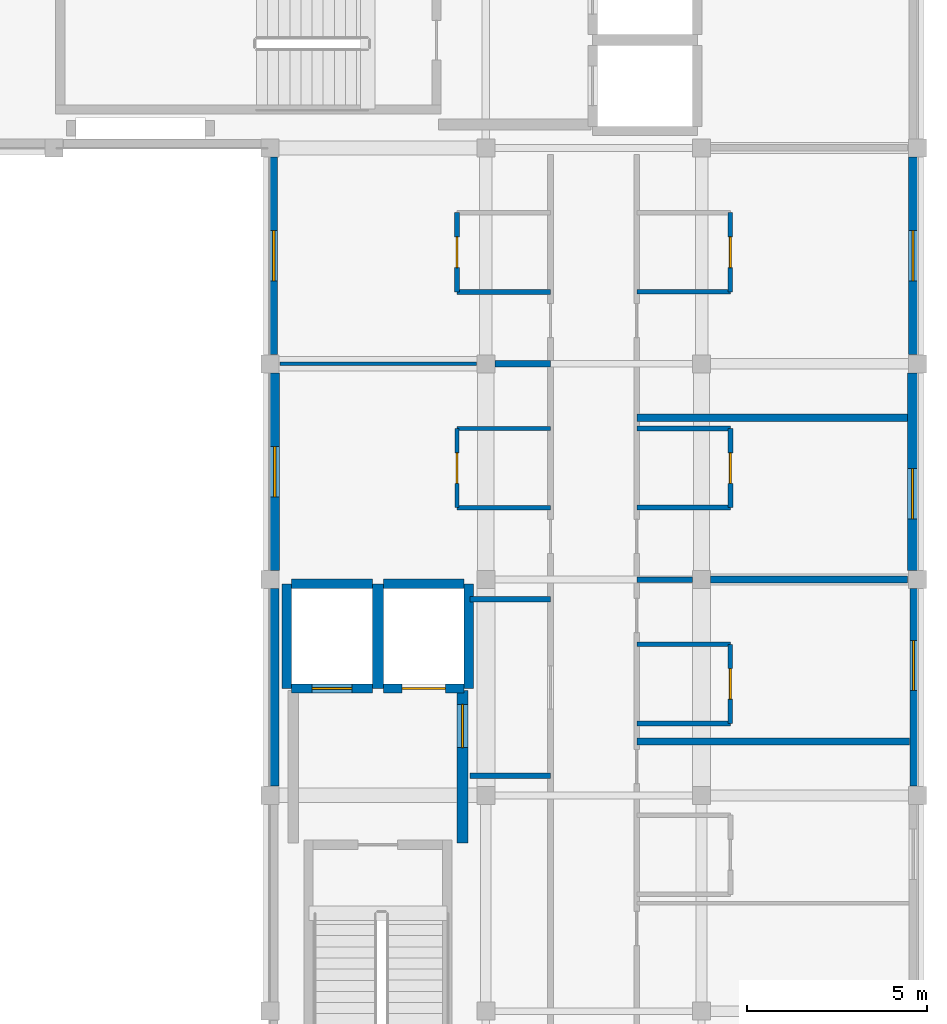
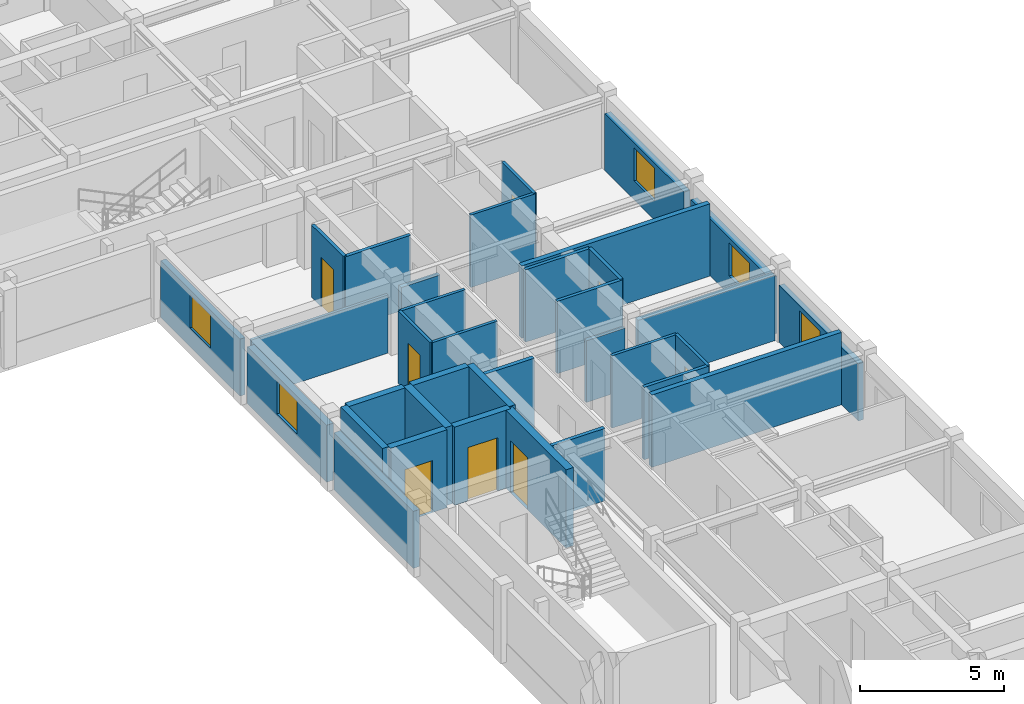
# One storey, part 6 of 15: 35 walls, 8 doors, 5 windows, 13 openings.
"""IFC4 building model written with IfcOpenShell, lengths in metres."""

from ifc_helpers import new_model, si_unit, direction, frame, frame_2d, origin, place, context, subcontext, project, spatial, rectangle, extrude, material, layer, layer_set, type_object, element, fill, save


model = new_model("IFC4")

# Units and contexts
model_context = context("Model", 3, precision=1e-05, world=origin(), true_north=direction((0.0, 1.0)))
body_context = subcontext(model_context, "Body", "Model", "MODEL_VIEW")
ifc_project = project(units=[si_unit("LENGTHUNIT", "METRE"), si_unit("AREAUNIT", "SQUARE_METRE"), si_unit("VOLUMEUNIT", "CUBIC_METRE"), si_unit("PLANEANGLEUNIT", "RADIAN"), si_unit("MASSUNIT", "GRAM", prefix="KILO"), si_unit("THERMODYNAMICTEMPERATUREUNIT", "KELVIN"), si_unit("POWERUNIT", "WATT")], contexts=[model_context])

# Site, building, storey
site_placement = place(None, origin())
site = spatial("IfcSite", under=ifc_project, at=site_placement, CompositionType="ELEMENT")
building_placement = place(site_placement, origin())
building = spatial("IfcBuilding", under=site, at=building_placement, Name="Phaisarnlok Congress Hotel", CompositionType="ELEMENT")
storey_placement = place(building_placement, frame((0.0, 0.0, 38.10009765625)))
storey = spatial("IfcBuildingStorey", under=building, at=storey_placement, Name="L09", CompositionType="ELEMENT", Elevation=38.10009765625)

# Wall, opening, window
ifc_material_1 = material(Name="Concrete C40/50", Category="concrete")
ifc_layer_1 = layer(ifc_material_1, 0.2099609375, Name="Concrete C40/50")
ifc_layer_set_1 = layer_set([ifc_layer_1], Name="Concrete C40/50")
wall_type_1 = type_object("IfcWallType", Name="WL-EXT-210", PredefinedType="SOLIDWALL", material=ifc_layer_set_1)
wall_1_placement = place(storey_placement, frame((179.89501953125, 90.2548828125, 0.0), z_axis=(0.0, 0.0, 1.0), x_axis=(0.0, 1.0, 0.0)))
wall_1 = element("IfcWall", 1, at=wall_1_placement, inside=storey, type_object=wall_type_1, Name="Exterior wall EW-07 (L09)", PredefinedType="SOLIDWALL", context=body_context, shape_type="SweptSolid", body=[
    extrude(rectangle(XDim=5.490234375, YDim=0.2099609375, at=frame_2d((2.7451171875, 0.0))), origin(), (0.0, 0.0, 1.0), 2.409912109375),
])
opening_1_placement = place(wall_1_placement, frame((2.657958984375, 0.0, 0.800048828125)))
opening_1 = element("IfcOpeningElement", 2, at=opening_1_placement, cuts=wall_1, Name="Opening W-13", PredefinedType="OPENING", context=body_context, shape_type="SweptSolid", body=[
    extrude(rectangle(XDim=1.39990234375, YDim=1.39990234375, at=frame_2d((0.699951171875, 0.699951171875))), frame((0.0, 0.114990234375, 0.0), z_axis=(0.0, -1.0, 0.0), x_axis=(1.0, 0.0, 0.0)), (0.0, 0.0, 1.0), 0.22998046875),
])
ifc_material_2 = material(Name="Thermally Broken Aluminium & Low-E Double Glazing", Category="aluminium")
window_type = type_object("IfcWindowType", Name="WIN-POD-1400", PartitioningType="SINGLE_PANEL", PredefinedType="WINDOW", material=ifc_material_2)
window_1_placement = place(opening_1_placement, origin())
window_1 = element("IfcWindow", 3, at=window_1_placement, inside=storey, type_object=window_type, Name="Guestroom window W-13 (L09)", OverallHeight=1.39990234375, OverallWidth=1.39990234375, PartitioningType="SINGLE_PANEL", PredefinedType="WINDOW", context=body_context, shape_type="SweptSolid", body=[
    extrude(rectangle(XDim=1.39990234375, YDim=1.39990234375, at=frame_2d((0.699951171875, 0.699951171875))), frame((0.0, 0.030029296875, 0.0), z_axis=(0.0, -1.0, 0.0), x_axis=(1.0, 0.0, 0.0)), (0.0, 0.0, 1.0), 0.06005859375),
])
fill(opening_1, window_1)

wall_2_placement = place(storey_placement, frame((162.10498046875, 107.7451171875, 0.0), z_axis=(0.0, 0.0, 1.0), x_axis=(0.0, -1.0, 0.0)))
wall_2 = element("IfcWall", 4, at=wall_2_placement, inside=storey, type_object=wall_type_1, Name="Exterior wall EW-07 (L09)", PredefinedType="SOLIDWALL", context=body_context, shape_type="SweptSolid", body=[
    extrude(rectangle(XDim=5.490234375, YDim=0.2099609375, at=frame_2d((2.7451171875, 0.0))), origin(), (0.0, 0.0, 1.0), 2.409912109375),
])
opening_2_placement = place(wall_2_placement, frame((2.044921875, 0.0, 0.800048828125)))
opening_2 = element("IfcOpeningElement", 5, at=opening_2_placement, cuts=wall_2, Name="Opening W-13", PredefinedType="OPENING", context=body_context, shape_type="SweptSolid", body=[
    extrude(rectangle(XDim=1.39990234375, YDim=1.39990234375, at=frame_2d((0.699951171875, 0.699951171875))), frame((0.0, 0.114990234375, 0.0), z_axis=(0.0, -1.0, 0.0), x_axis=(1.0, 0.0, 0.0)), (0.0, 0.0, 1.0), 0.22998046875),
])
window_2_placement = place(opening_2_placement, origin())
window_2 = element("IfcWindow", 6, at=window_2_placement, inside=storey, type_object=window_type, Name="Guestroom window W-13 (L09)", OverallHeight=1.39990234375, OverallWidth=1.39990234375, PartitioningType="SINGLE_PANEL", PredefinedType="WINDOW", context=body_context, shape_type="SweptSolid", body=[
    extrude(rectangle(XDim=1.39990234375, YDim=1.39990234375, at=frame_2d((0.699951171875, 0.699951171875))), frame((0.0, 0.030029296875, 0.0), z_axis=(0.0, -1.0, 0.0), x_axis=(1.0, 0.0, 0.0)), (0.0, 0.0, 1.0), 0.06005859375),
])
fill(opening_2, window_2)

ifc_layer_2 = layer(ifc_material_1, 0.25, Name="Concrete C40/50")
ifc_layer_set_2 = layer_set([ifc_layer_2], Name="Concrete C40/50")
wall_type_2 = type_object("IfcWallType", Name="WL-EXT-250", PredefinedType="SOLIDWALL", material=ifc_layer_set_2)
wall_3_placement = place(storey_placement, frame((179.875, 102.2548828125, 0.0), z_axis=(0.0, 0.0, 1.0), x_axis=(0.0, 1.0, 0.0)))
wall_3 = element("IfcWall", 7, at=wall_3_placement, inside=storey, type_object=wall_type_2, Name="Exterior wall EW-05 (L09)", PredefinedType="SOLIDWALL", context=body_context, shape_type="SweptSolid", body=[
    extrude(rectangle(XDim=5.490234375, YDim=0.25, at=frame_2d((2.7451171875, 0.0))), origin(), (0.0, 0.0, 1.0), 2.409912109375),
])
opening_3_placement = place(wall_3_placement, frame((2.044921875, 0.0, 0.800048828125)))
opening_3 = element("IfcOpeningElement", 8, at=opening_3_placement, cuts=wall_3, Name="Opening W-13", PredefinedType="OPENING", context=body_context, shape_type="SweptSolid", body=[
    extrude(rectangle(XDim=1.39990234375, YDim=1.39990234375, at=frame_2d((0.699951171875, 0.699951171875))), frame((0.0, 0.135009765625, 0.0), z_axis=(0.0, -1.0, 0.0), x_axis=(1.0, 0.0, 0.0)), (0.0, 0.0, 1.0), 0.27001953125),
])
window_3_placement = place(opening_3_placement, origin())
window_3 = element("IfcWindow", 9, at=window_3_placement, inside=storey, type_object=window_type, Name="Guestroom window W-13 (L09)", OverallHeight=1.39990234375, OverallWidth=1.39990234375, PartitioningType="SINGLE_PANEL", PredefinedType="WINDOW", context=body_context, shape_type="SweptSolid", body=[
    extrude(rectangle(XDim=1.39990234375, YDim=1.39990234375, at=frame_2d((0.699951171875, 0.699951171875))), frame((0.0, 0.030029296875, 0.0), z_axis=(0.0, -1.0, 0.0), x_axis=(1.0, 0.0, 0.0)), (0.0, 0.0, 1.0), 0.06005859375),
])
fill(opening_3, window_3)

# Wall
wall_4_placement = place(storey_placement, frame((162.125, 95.7451171875, 0.0), z_axis=(0.0, 0.0, 1.0), x_axis=(0.0, -1.0, 0.0)))
element("IfcWall", 10, at=wall_4_placement, inside=storey, type_object=wall_type_2, Name="Exterior wall EW-05 (L09)", PredefinedType="SOLIDWALL", context=body_context, shape_type="SweptSolid", body=[
    extrude(rectangle(XDim=5.490234375, YDim=0.25, at=frame_2d((2.7451171875, 0.0))), origin(), (0.0, 0.0, 1.0), 2.409912109375),
])

# Wall, opening, window
ifc_layer_3 = layer(ifc_material_1, 0.27001953125, Name="Concrete C40/50")
ifc_layer_set_3 = layer_set([ifc_layer_3], Name="Concrete C40/50")
wall_type_3 = type_object("IfcWallType", Name="WL-EXT-270", PredefinedType="SOLIDWALL", material=ifc_layer_set_3)
wall_5_placement = place(storey_placement, frame((179.864990234375, 96.2548828125, 0.0), z_axis=(0.0, 0.0, 1.0), x_axis=(0.0, 1.0, 0.0)))
wall_5 = element("IfcWall", 11, at=wall_5_placement, inside=storey, type_object=wall_type_3, Name="Exterior wall EW-04 (L09)", PredefinedType="SOLIDWALL", context=body_context, shape_type="SweptSolid", body=[
    extrude(rectangle(XDim=5.490234375, YDim=0.27001953125, at=frame_2d((2.7451171875, 0.0))), origin(), (0.0, 0.0, 1.0), 2.409912109375),
])
opening_4_placement = place(wall_5_placement, frame((1.431884765625, 0.0, 0.800048828125)))
opening_4 = element("IfcOpeningElement", 12, at=opening_4_placement, cuts=wall_5, Name="Opening W-13", PredefinedType="OPENING", context=body_context, shape_type="SweptSolid", body=[
    extrude(rectangle(XDim=1.39990234375, YDim=1.39990234375, at=frame_2d((0.699951171875, 0.699951171875))), frame((0.0, 0.14501953125, 0.0), z_axis=(0.0, -1.0, 0.0), x_axis=(1.0, 0.0, 0.0)), (0.0, 0.0, 1.0), 0.2900390625),
])
window_4_placement = place(opening_4_placement, origin())
window_4 = element("IfcWindow", 13, at=window_4_placement, inside=storey, type_object=window_type, Name="Guestroom window W-13 (L09)", OverallHeight=1.39990234375, OverallWidth=1.39990234375, PartitioningType="SINGLE_PANEL", PredefinedType="WINDOW", context=body_context, shape_type="SweptSolid", body=[
    extrude(rectangle(XDim=1.39990234375, YDim=1.39990234375, at=frame_2d((0.699951171875, 0.699951171875))), frame((0.0, 0.030029296875, 0.0), z_axis=(0.0, -1.0, 0.0), x_axis=(1.0, 0.0, 0.0)), (0.0, 0.0, 1.0), 0.06005859375),
])
fill(opening_4, window_4)

wall_6_placement = place(storey_placement, frame((162.135009765625, 101.7451171875, 0.0), z_axis=(0.0, 0.0, 1.0), x_axis=(0.0, -1.0, 0.0)))
wall_6 = element("IfcWall", 14, at=wall_6_placement, inside=storey, type_object=wall_type_3, Name="Exterior wall EW-04 (L09)", PredefinedType="SOLIDWALL", context=body_context, shape_type="SweptSolid", body=[
    extrude(rectangle(XDim=5.490234375, YDim=0.27001953125, at=frame_2d((2.7451171875, 0.0))), origin(), (0.0, 0.0, 1.0), 2.409912109375),
])
opening_5_placement = place(wall_6_placement, frame((2.044921875, 0.0, 0.800048828125)))
opening_5 = element("IfcOpeningElement", 15, at=opening_5_placement, cuts=wall_6, Name="Opening W-13", PredefinedType="OPENING", context=body_context, shape_type="SweptSolid", body=[
    extrude(rectangle(XDim=1.39990234375, YDim=1.39990234375, at=frame_2d((0.699951171875, 0.699951171875))), frame((0.0, 0.14501953125, 0.0), z_axis=(0.0, -1.0, 0.0), x_axis=(1.0, 0.0, 0.0)), (0.0, 0.0, 1.0), 0.2900390625),
])
window_5_placement = place(opening_5_placement, origin())
window_5 = element("IfcWindow", 16, at=window_5_placement, inside=storey, type_object=window_type, Name="Guestroom window W-13 (L09)", OverallHeight=1.39990234375, OverallWidth=1.39990234375, PartitioningType="SINGLE_PANEL", PredefinedType="WINDOW", context=body_context, shape_type="SweptSolid", body=[
    extrude(rectangle(XDim=1.39990234375, YDim=1.39990234375, at=frame_2d((0.699951171875, 0.699951171875))), frame((0.0, 0.030029296875, 0.0), z_axis=(0.0, -1.0, 0.0), x_axis=(1.0, 0.0, 0.0)), (0.0, 0.0, 1.0), 0.06005859375),
])
fill(opening_5, window_5)

# Wall
ifc_material_3 = material(Name="Service Riser Shaftwall Partition", Category="gypsum")
ifc_layer_4 = layer(ifc_material_3, 0.10498046875, Name="Service Riser Shaftwall Partition")
ifc_layer_set_4 = layer_set([ifc_layer_4], Name="Service Riser Shaftwall Partition")
wall_type_4 = type_object("IfcWallType", Name="WL-INT-105", PredefinedType="PARTITIONING", material=ifc_layer_set_4)
wall_7_placement = place(storey_placement, frame((162.280029296875, 102.0, 0.0), z_axis=(0.0, 0.0, 1.0), x_axis=(1.0, 0.0, 0.0)))
element("IfcWall", 17, at=wall_7_placement, inside=storey, type_object=wall_type_4, Name="Interior partition wall IW-08 (L09)", PredefinedType="PARTITIONING", context=body_context, shape_type="SweptSolid", body=[
    extrude(rectangle(XDim=5.465087890625, YDim=0.10498046875, at=frame_2d((2.732421875, 0.0))), origin(), (0.0, 0.0, 1.0), 2.4599609375),
])

# Wall, opening, door
ifc_material_4 = material(Name="Lightweight Metal-Stud Gypsum Partition", Category="gypsum")
ifc_layer_5 = layer(ifc_material_4, 0.1201171875, Name="Lightweight Metal-Stud Gypsum Partition")
ifc_layer_set_5 = layer_set([ifc_layer_5], Name="Lightweight Metal-Stud Gypsum Partition")
wall_type_5 = type_object("IfcWallType", Name="WL-INT-120", PredefinedType="PARTITIONING", material=ifc_layer_set_5)
wall_8_placement = place(storey_placement, frame((167.199951171875, 98.0, 0.0), z_axis=(0.0, 0.0, 1.0), x_axis=(0.0, 1.0, 0.0)))
wall_8 = element("IfcWall", 18, at=wall_8_placement, inside=storey, type_object=wall_type_5, Name="Interior partition wall IW-07 (L09)", PredefinedType="PARTITIONING", context=body_context, shape_type="SweptSolid", body=[
    extrude(rectangle(XDim=2.199951171875, YDim=0.1201171875, at=frame_2d((1.10009765625, 0.0))), origin(), (0.0, 0.0, 1.0), 3.059814453125),
])
opening_6_placement = place(wall_8_placement, frame((0.675048828125, 0.0, 0.0)))
opening_6 = element("IfcOpeningElement", 19, at=opening_6_placement, cuts=wall_8, Name="Opening D-0551", PredefinedType="OPENING", context=body_context, shape_type="SweptSolid", body=[
    extrude(rectangle(XDim=0.85009765625, YDim=2.10009765625, at=frame_2d((0.425048828125, 1.050048828125))), frame((0.0, 0.070068359375, 0.0), z_axis=(0.0, -1.0, 0.0), x_axis=(1.0, 0.0, 0.0)), (0.0, 0.0, 1.0), 0.14013671875),
])
ifc_material_5 = material(Name="Moisture-Resistant Lacquered Timber", Category="wood")
door_type_1 = type_object("IfcDoorType", Name="DR-BATH-850", OperationType="NOTDEFINED", PredefinedType="DOOR", material=ifc_material_5)
door_1_placement = place(opening_6_placement, origin())
door_1 = element("IfcDoor", 20, at=door_1_placement, inside=storey, type_object=door_type_1, Name="Interior door D-0551 (L09)", OperationType="SINGLE_SWING_RIGHT", OverallHeight=2.10009765625, OverallWidth=0.85009765625, PredefinedType="DOOR", context=body_context, shape_type="SweptSolid", body=[
    extrude(rectangle(XDim=0.85009765625, YDim=2.10009765625, at=frame_2d((0.425048828125, 1.050048828125))), frame((0.0, 0.02490234375, 0.0), z_axis=(0.0, -1.0, 0.0), x_axis=(1.0, 0.0, 0.0)), (0.0, 0.0, 1.0), 0.050048828125),
])
fill(opening_6, door_1)

wall_9_placement = place(storey_placement, frame((174.800048828125, 92.0, 0.0), z_axis=(0.0, 0.0, 1.0), x_axis=(0.0, 1.0, 0.0)))
wall_9 = element("IfcWall", 21, at=wall_9_placement, inside=storey, type_object=wall_type_5, Name="Interior partition wall IW-07 (L09)", PredefinedType="PARTITIONING", context=body_context, shape_type="SweptSolid", body=[
    extrude(rectangle(XDim=2.199951171875, YDim=0.1201171875, at=frame_2d((1.10009765625, 0.0))), origin(), (0.0, 0.0, 1.0), 3.059814453125),
])
opening_7_placement = place(wall_9_placement, frame((0.675048828125, 0.0, 0.0)))
opening_7 = element("IfcOpeningElement", 22, at=opening_7_placement, cuts=wall_9, Name="Opening D-0534", PredefinedType="OPENING", context=body_context, shape_type="SweptSolid", body=[
    extrude(rectangle(XDim=0.85009765625, YDim=2.10009765625, at=frame_2d((0.425048828125, 1.050048828125))), frame((0.0, 0.070068359375, 0.0), z_axis=(0.0, -1.0, 0.0), x_axis=(1.0, 0.0, 0.0)), (0.0, 0.0, 1.0), 0.14013671875),
])
door_2_placement = place(opening_7_placement, origin())
door_2 = element("IfcDoor", 23, at=door_2_placement, inside=storey, type_object=door_type_1, Name="Interior door D-0534 (L09)", OperationType="SINGLE_SWING_LEFT", OverallHeight=2.10009765625, OverallWidth=0.85009765625, PredefinedType="DOOR", context=body_context, shape_type="SweptSolid", body=[
    extrude(rectangle(XDim=0.85009765625, YDim=2.10009765625, at=frame_2d((0.425048828125, 1.050048828125))), frame((0.0, 0.02490234375, 0.0), z_axis=(0.0, -1.0, 0.0), x_axis=(1.0, 0.0, 0.0)), (0.0, 0.0, 1.0), 0.050048828125),
])
fill(opening_7, door_2)

wall_10_placement = place(storey_placement, frame((174.800048828125, 104.0, 0.0), z_axis=(0.0, 0.0, 1.0), x_axis=(0.0, 1.0, 0.0)))
wall_10 = element("IfcWall", 24, at=wall_10_placement, inside=storey, type_object=wall_type_5, Name="Interior partition wall IW-07 (L09)", PredefinedType="PARTITIONING", context=body_context, shape_type="SweptSolid", body=[
    extrude(rectangle(XDim=2.199951171875, YDim=0.1201171875, at=frame_2d((1.10009765625, 0.0))), origin(), (0.0, 0.0, 1.0), 3.059814453125),
])
opening_8_placement = place(wall_10_placement, frame((0.675048828125, 0.0, 0.0)))
opening_8 = element("IfcOpeningElement", 25, at=opening_8_placement, cuts=wall_10, Name="Opening D-0538", PredefinedType="OPENING", context=body_context, shape_type="SweptSolid", body=[
    extrude(rectangle(XDim=0.85009765625, YDim=2.10009765625, at=frame_2d((0.425048828125, 1.050048828125))), frame((0.0, 0.070068359375, 0.0), z_axis=(0.0, -1.0, 0.0), x_axis=(1.0, 0.0, 0.0)), (0.0, 0.0, 1.0), 0.14013671875),
])
door_3_placement = place(opening_8_placement, origin())
door_3 = element("IfcDoor", 26, at=door_3_placement, inside=storey, type_object=door_type_1, Name="Interior door D-0538 (L09)", OperationType="SINGLE_SWING_LEFT", OverallHeight=2.10009765625, OverallWidth=0.85009765625, PredefinedType="DOOR", context=body_context, shape_type="SweptSolid", body=[
    extrude(rectangle(XDim=0.85009765625, YDim=2.10009765625, at=frame_2d((0.425048828125, 1.050048828125))), frame((0.0, 0.02490234375, 0.0), z_axis=(0.0, -1.0, 0.0), x_axis=(1.0, 0.0, 0.0)), (0.0, 0.0, 1.0), 0.050048828125),
])
fill(opening_8, door_3)

# Walls
for number, where, z_axis, x_axis, name in (
    (27, (172.199951171875, 94.199951171875, 0.0), (0.0, 0.0, 1.0), (1.0, 0.0, 0.0), "Interior partition wall IW-07 (L09)"),
    (28, (167.199951171875, 98.0, 0.0), (0.0, 0.0, 1.0), (1.0, 0.0, 0.0), "Interior partition wall IW-07 (L09)"),
    (29, (167.199951171875, 100.199951171875, 0.0), (0.0, 0.0, 1.0), (1.0, 0.0, 0.0), "Interior partition wall IW-07 (L09)"),
    (30, (172.199951171875, 104.0, 0.0), (0.0, 0.0, 1.0), (1.0, 0.0, 0.0), "Interior partition wall IW-07 (L09)"),
):
    element("IfcWall", number, at=place(storey_placement, frame(where, z_axis=z_axis, x_axis=x_axis)), inside=storey, type_object=wall_type_5, Name=name, PredefinedType="PARTITIONING", context=body_context, shape_type="SweptSolid", body=[
        extrude(rectangle(XDim=2.60009765625, YDim=0.1201171875, at=frame_2d((1.300048828125, 0.0))), origin(), (0.0, 0.0, 1.0), 3.059814453125),
    ])

# Wall, opening, door
ifc_material_6 = material(Name="Moisture-Resistant Gypsum Partition", Category="gypsum")
ifc_layer_6 = layer(ifc_material_6, 0.135009765625, Name="Moisture-Resistant Gypsum Partition")
ifc_layer_set_6 = layer_set([ifc_layer_6], Name="Moisture-Resistant Gypsum Partition")
wall_type_6 = type_object("IfcWallType", Name="WL-INT-135", PredefinedType="PARTITIONING", material=ifc_layer_set_6)
wall_11_placement = place(storey_placement, frame((167.199951171875, 104.0, 0.0), z_axis=(0.0, 0.0, 1.0), x_axis=(0.0, 1.0, 0.0)))
wall_11 = element("IfcWall", 31, at=wall_11_placement, inside=storey, type_object=wall_type_6, Name="Interior partition wall IW-06 (L09)", PredefinedType="PARTITIONING", context=body_context, shape_type="SweptSolid", body=[
    extrude(rectangle(XDim=2.199951171875, YDim=0.135009765625, at=frame_2d((1.10009765625, 0.0))), origin(), (0.0, 0.0, 1.0), 3.059814453125),
])
opening_9_placement = place(wall_11_placement, frame((0.675048828125, 0.0, 0.0)))
opening_9 = element("IfcOpeningElement", 32, at=opening_9_placement, cuts=wall_11, Name="Opening D-0553", PredefinedType="OPENING", context=body_context, shape_type="SweptSolid", body=[
    extrude(rectangle(XDim=0.85009765625, YDim=2.10009765625, at=frame_2d((0.425048828125, 1.050048828125))), frame((0.0, 0.07763671875, 0.0), z_axis=(0.0, -1.0, 0.0), x_axis=(1.0, 0.0, 0.0)), (0.0, 0.0, 1.0), 0.155029296875),
])
door_4_placement = place(opening_9_placement, origin())
door_4 = element("IfcDoor", 33, at=door_4_placement, inside=storey, type_object=door_type_1, Name="Interior door D-0553 (L09)", OperationType="SINGLE_SWING_RIGHT", OverallHeight=2.10009765625, OverallWidth=0.85009765625, PredefinedType="DOOR", context=body_context, shape_type="SweptSolid", body=[
    extrude(rectangle(XDim=0.85009765625, YDim=2.10009765625, at=frame_2d((0.425048828125, 1.050048828125))), frame((0.0, 0.02490234375, 0.0), z_axis=(0.0, -1.0, 0.0), x_axis=(1.0, 0.0, 0.0)), (0.0, 0.0, 1.0), 0.050048828125),
])
fill(opening_9, door_4)

wall_12_placement = place(storey_placement, frame((174.800048828125, 98.0, 0.0), z_axis=(0.0, 0.0, 1.0), x_axis=(0.0, 1.0, 0.0)))
wall_12 = element("IfcWall", 34, at=wall_12_placement, inside=storey, type_object=wall_type_6, Name="Interior partition wall IW-06 (L09)", PredefinedType="PARTITIONING", context=body_context, shape_type="SweptSolid", body=[
    extrude(rectangle(XDim=2.199951171875, YDim=0.135009765625, at=frame_2d((1.10009765625, 0.0))), origin(), (0.0, 0.0, 1.0), 3.059814453125),
])
opening_10_placement = place(wall_12_placement, frame((0.675048828125, 0.0, 0.0)))
opening_10 = element("IfcOpeningElement", 35, at=opening_10_placement, cuts=wall_12, Name="Opening D-0536", PredefinedType="OPENING", context=body_context, shape_type="SweptSolid", body=[
    extrude(rectangle(XDim=0.85009765625, YDim=2.10009765625, at=frame_2d((0.425048828125, 1.050048828125))), frame((0.0, 0.07763671875, 0.0), z_axis=(0.0, -1.0, 0.0), x_axis=(1.0, 0.0, 0.0)), (0.0, 0.0, 1.0), 0.155029296875),
])
door_5_placement = place(opening_10_placement, origin())
door_5 = element("IfcDoor", 36, at=door_5_placement, inside=storey, type_object=door_type_1, Name="Interior door D-0536 (L09)", OperationType="SINGLE_SWING_LEFT", OverallHeight=2.10009765625, OverallWidth=0.85009765625, PredefinedType="DOOR", context=body_context, shape_type="SweptSolid", body=[
    extrude(rectangle(XDim=0.85009765625, YDim=2.10009765625, at=frame_2d((0.425048828125, 1.050048828125))), frame((0.0, 0.02490234375, 0.0), z_axis=(0.0, -1.0, 0.0), x_axis=(1.0, 0.0, 0.0)), (0.0, 0.0, 1.0), 0.050048828125),
])
fill(opening_10, door_5)

# Walls
for number, where, z_axis, x_axis, name in (
    (37, (172.199951171875, 92.0, 0.0), (0.0, 0.0, 1.0), (1.0, 0.0, 0.0), "Interior partition wall IW-06 (L09)"),
    (38, (172.199951171875, 98.0, 0.0), (0.0, 0.0, 1.0), (1.0, 0.0, 0.0), "Interior partition wall IW-06 (L09)"),
    (39, (172.199951171875, 100.199951171875, 0.0), (0.0, 0.0, 1.0), (1.0, 0.0, 0.0), "Interior partition wall IW-06 (L09)"),
    (40, (167.199951171875, 104.0, 0.0), (0.0, 0.0, 1.0), (1.0, 0.0, 0.0), "Interior partition wall IW-06 (L09)"),
):
    element("IfcWall", number, at=place(storey_placement, frame(where, z_axis=z_axis, x_axis=x_axis)), inside=storey, type_object=wall_type_6, Name=name, PredefinedType="PARTITIONING", context=body_context, shape_type="SweptSolid", body=[
        extrude(rectangle(XDim=2.60009765625, YDim=0.135009765625, at=frame_2d((1.300048828125, 0.0))), origin(), (0.0, 0.0, 1.0), 3.059814453125),
    ])
ifc_material_7 = material(Name="Acoustic Gypsum Board & Mineral Wool", Category="gypsum")
ifc_layer_7 = layer(ifc_material_7, 0.14990234375, Name="Acoustic Gypsum Board & Mineral Wool")
ifc_layer_set_7 = layer_set([ifc_layer_7], Name="Acoustic Gypsum Board & Mineral Wool")
wall_type_7 = type_object("IfcWallType", Name="WL-INT-150", PredefinedType="PARTITIONING", material=ifc_layer_set_7)
wall_13_placement = place(storey_placement, frame((167.56005859375, 90.550048828125, 0.0), z_axis=(0.0, 0.0, 1.0), x_axis=(1.0, 0.0, 0.0)))
element("IfcWall", 41, at=wall_13_placement, inside=storey, type_object=wall_type_7, Name="Interior partition wall IW-05 (L09)", PredefinedType="PARTITIONING", context=body_context, shape_type="SweptSolid", body=[
    extrude(rectangle(XDim=2.239990234375, YDim=0.14990234375, at=frame_2d((1.1201171875, 0.0))), origin(), (0.0, 0.0, 1.0), 3.059814453125),
])
wall_14_placement = place(storey_placement, frame((172.199951171875, 96.0, 0.0), z_axis=(0.0, 0.0, 1.0), x_axis=(1.0, 0.0, 0.0)))
element("IfcWall", 42, at=wall_14_placement, inside=storey, type_object=wall_type_7, Name="Interior partition wall IW-05 (L09)", PredefinedType="PARTITIONING", context=body_context, shape_type="SweptSolid", body=[
    extrude(rectangle(XDim=1.545166015625, YDim=0.14990234375, at=frame_2d((0.7724609375, 0.0))), origin(), (0.0, 0.0, 1.0), 2.60986328125),
])
ifc_material_8 = material(Name="Double-Stud Acoustic Gypsum Partition", Category="gypsum")
ifc_layer_8 = layer(ifc_material_8, 0.159912109375, Name="Double-Stud Acoustic Gypsum Partition")
ifc_layer_set_8 = layer_set([ifc_layer_8], Name="Double-Stud Acoustic Gypsum Partition")
wall_type_8 = type_object("IfcWallType", Name="WL-INT-160", PredefinedType="PARTITIONING", material=ifc_layer_set_8)
wall_15_placement = place(storey_placement, frame((167.56005859375, 95.449951171875, 0.0), z_axis=(0.0, 0.0, 1.0), x_axis=(1.0, 0.0, 0.0)))
element("IfcWall", 43, at=wall_15_placement, inside=storey, type_object=wall_type_8, Name="Interior partition wall IW-04 (L09)", PredefinedType="PARTITIONING", context=body_context, shape_type="SweptSolid", body=[
    extrude(rectangle(XDim=2.239990234375, YDim=0.159912109375, at=frame_2d((1.1201171875, 0.0))), origin(), (0.0, 0.0, 1.0), 3.059814453125),
])
ifc_material_9 = material(Name="Autoclaved Aerated Concrete Block", Category="concrete")
ifc_layer_9 = layer(ifc_material_9, 0.179931640625, Name="Autoclaved Aerated Concrete Block")
ifc_layer_set_9 = layer_set([ifc_layer_9], Name="Autoclaved Aerated Concrete Block")
wall_type_9 = type_object("IfcWallType", Name="WL-INT-180", PredefinedType="PARTITIONING", material=ifc_layer_set_9)
wall_16_placement = place(storey_placement, frame((168.2548828125, 102.0, 0.0), z_axis=(0.0, 0.0, 1.0), x_axis=(1.0, 0.0, 0.0)))
element("IfcWall", 44, at=wall_16_placement, inside=storey, type_object=wall_type_9, Name="Interior partition wall IW-03 (L09)", PredefinedType="PARTITIONING", context=body_context, shape_type="SweptSolid", body=[
    extrude(rectangle(XDim=1.545166015625, YDim=0.179931640625, at=frame_2d((0.7724609375, 0.0))), origin(), (0.0, 0.0, 1.0), 2.60986328125),
])
ifc_layer_10 = layer(ifc_material_9, 0.199951171875, Name="Autoclaved Aerated Concrete Block")
ifc_layer_set_10 = layer_set([ifc_layer_10], Name="Autoclaved Aerated Concrete Block")
wall_type_10 = type_object("IfcWallType", Name="WL-INT-200", PredefinedType="PARTITIONING", material=ifc_layer_set_10)
wall_17_placement = place(storey_placement, frame((172.199951171875, 91.5, 0.0), z_axis=(0.0, 0.0, 1.0), x_axis=(1.0, 0.0, 0.0)))
element("IfcWall", 45, at=wall_17_placement, inside=storey, type_object=wall_type_10, Name="Interior partition wall IW-02 (L09)", PredefinedType="PARTITIONING", context=body_context, shape_type="SweptSolid", body=[
    extrude(rectangle(XDim=7.5849609375, YDim=0.199951171875, at=frame_2d((3.79248046875, 0.0))), origin(), (0.0, 0.0, 1.0), 3.059814453125),
])
wall_18_placement = place(storey_placement, frame((174.2548828125, 96.0, 0.0), z_axis=(0.0, 0.0, 1.0), x_axis=(1.0, 0.0, 0.0)))
element("IfcWall", 46, at=wall_18_placement, inside=storey, type_object=wall_type_10, Name="Interior partition wall IW-02 (L09)", PredefinedType="PARTITIONING", context=body_context, shape_type="SweptSolid", body=[
    extrude(rectangle(XDim=5.465087890625, YDim=0.199951171875, at=frame_2d((2.732421875, 0.0))), origin(), (0.0, 0.0, 1.0), 2.77001953125),
])
wall_19_placement = place(storey_placement, frame((172.199951171875, 100.5, 0.0), z_axis=(0.0, 0.0, 1.0), x_axis=(1.0, 0.0, 0.0)))
element("IfcWall", 47, at=wall_19_placement, inside=storey, type_object=wall_type_10, Name="Interior partition wall IW-02 (L09)", PredefinedType="PARTITIONING", context=body_context, shape_type="SweptSolid", body=[
    extrude(rectangle(XDim=7.525146484375, YDim=0.199951171875, at=frame_2d((3.7626953125, 0.0))), origin(), (0.0, 0.0, 1.0), 3.059814453125),
])
ifc_material_10 = material(Name="Concrete C50/60", Category="concrete")
ifc_layer_11 = layer(ifc_material_10, 0.260009765625, Name="Concrete C50/60")
ifc_layer_set_11 = layer_set([ifc_layer_11], Name="Concrete C50/60")
wall_type_11 = type_object("IfcWallType", Name="WL-SHR-260", PredefinedType="SHEAR", material=ifc_layer_set_11)
wall_20_placement = place(storey_placement, frame((162.469970703125, 92.969970703125, 0.0), z_axis=(0.0, 0.0, 1.0), x_axis=(0.0, 1.0, 0.0)))
element("IfcWall", 48, at=wall_20_placement, inside=storey, type_object=wall_type_11, Name="Lift shaft shear wall SW-04 (LF-HP3 L09)", PredefinedType="SHEAR", context=body_context, shape_type="SweptSolid", body=[
    extrude(rectangle(XDim=2.909912109375, YDim=0.260009765625, at=frame_2d((1.455078125, 0.0))), origin(), (0.0, 0.0, 1.0), 3.2998046875),
])
wall_21_placement = place(storey_placement, frame((162.60009765625, 95.8798828125, 0.0), z_axis=(0.0, 0.0, 1.0), x_axis=(1.0, 0.0, 0.0)))
element("IfcWall", 49, at=wall_21_placement, inside=storey, type_object=wall_type_11, Name="Lift shaft shear wall SW-04 (LF-HP3 L09)", PredefinedType="SHEAR", context=body_context, shape_type="SweptSolid", body=[
    extrude(rectangle(XDim=2.25, YDim=0.260009765625, at=frame_2d((1.125, 0.0))), origin(), (0.0, 0.0, 1.0), 3.2998046875),
])

# Wall, opening, door
wall_22_placement = place(storey_placement, frame((162.60009765625, 92.969970703125, 0.0), z_axis=(0.0, 0.0, 1.0), x_axis=(1.0, 0.0, 0.0)))
wall_22 = element("IfcWall", 50, at=wall_22_placement, inside=storey, type_object=wall_type_11, Name="Lift shaft front wall SW-04 (LF-HP3 L09)", PredefinedType="SHEAR", context=body_context, shape_type="SweptSolid", body=[
    extrude(rectangle(XDim=2.25, YDim=0.260009765625, at=frame_2d((1.125, 0.0))), origin(), (0.0, 0.0, 1.0), 3.2998046875),
])
opening_11_placement = place(wall_22_placement, frame((0.574951171875, 0.0, 0.0)))
opening_11 = element("IfcOpeningElement", 51, at=opening_11_placement, cuts=wall_22, Name="Opening LD-071", PredefinedType="OPENING", context=body_context, shape_type="SweptSolid", body=[
    extrude(rectangle(XDim=1.10009765625, YDim=2.199951171875, at=frame_2d((0.550048828125, 1.10009765625))), frame((0.0, 0.14013671875, 0.0), z_axis=(0.0, -1.0, 0.0), x_axis=(1.0, 0.0, 0.0)), (0.0, 0.0, 1.0), 0.280029296875),
])
ifc_material_11 = material(Name="Brushed Stainless Steel Grade 304", Category="steel")
door_type_2 = type_object("IfcDoorType", Name="DR-LD-1100", OperationType="DOUBLE_DOOR_SLIDING", PredefinedType="DOOR", material=ifc_material_11)
door_6_placement = place(opening_11_placement, origin())
door_6 = element("IfcDoor", 52, at=door_6_placement, inside=storey, type_object=door_type_2, Name="Lift landing sliding door LD-071 (LF-HP3 L09)", OperationType="DOUBLE_DOOR_SLIDING", OverallHeight=2.199951171875, OverallWidth=1.10009765625, PredefinedType="DOOR", context=body_context, shape_type="SweptSolid", body=[
    extrude(rectangle(XDim=1.10009765625, YDim=2.199951171875, at=frame_2d((0.550048828125, 1.10009765625))), frame((0.0, 0.02490234375, 0.0), z_axis=(0.0, -1.0, 0.0), x_axis=(1.0, 0.0, 0.0)), (0.0, 0.0, 1.0), 0.050048828125),
])
fill(opening_11, door_6)

# Walls
wall_23_placement = place(storey_placement, frame((167.530029296875, 92.969970703125, 0.0), z_axis=(0.0, 0.0, 1.0), x_axis=(0.0, 1.0, 0.0)))
element("IfcWall", 53, at=wall_23_placement, inside=storey, type_object=wall_type_11, Name="Lift shaft shear wall SW-04 (LF-SV1 L09)", PredefinedType="SHEAR", context=body_context, shape_type="SweptSolid", body=[
    extrude(rectangle(XDim=2.909912109375, YDim=0.260009765625, at=frame_2d((1.455078125, 0.0))), origin(), (0.0, 0.0, 1.0), 3.2998046875),
])
wall_24_placement = place(storey_placement, frame((165.14990234375, 95.8798828125, 0.0), z_axis=(0.0, 0.0, 1.0), x_axis=(1.0, 0.0, 0.0)))
element("IfcWall", 54, at=wall_24_placement, inside=storey, type_object=wall_type_11, Name="Lift shaft shear wall SW-04 (LF-SV1 L09)", PredefinedType="SHEAR", context=body_context, shape_type="SweptSolid", body=[
    extrude(rectangle(XDim=2.25, YDim=0.260009765625, at=frame_2d((1.125, 0.0))), origin(), (0.0, 0.0, 1.0), 3.2998046875),
])

# Wall, opening, door
wall_25_placement = place(storey_placement, frame((165.14990234375, 92.969970703125, 0.0), z_axis=(0.0, 0.0, 1.0), x_axis=(1.0, 0.0, 0.0)))
wall_25 = element("IfcWall", 55, at=wall_25_placement, inside=storey, type_object=wall_type_11, Name="Lift shaft front wall SW-04 (LF-SV1 L09)", PredefinedType="SHEAR", context=body_context, shape_type="SweptSolid", body=[
    extrude(rectangle(XDim=2.25, YDim=0.260009765625, at=frame_2d((1.125, 0.0))), origin(), (0.0, 0.0, 1.0), 3.2998046875),
])
opening_12_placement = place(wall_25_placement, frame((0.52490234375, 0.0, 0.0)))
opening_12 = element("IfcOpeningElement", 56, at=opening_12_placement, cuts=wall_25, Name="Opening LD-086", PredefinedType="OPENING", context=body_context, shape_type="SweptSolid", body=[
    extrude(rectangle(XDim=1.199951171875, YDim=2.25, at=frame_2d((0.60009765625, 1.125))), frame((0.0, 0.14013671875, 0.0), z_axis=(0.0, -1.0, 0.0), x_axis=(1.0, 0.0, 0.0)), (0.0, 0.0, 1.0), 0.280029296875),
])
door_type_3 = type_object("IfcDoorType", Name="DR-LD-1200", OperationType="DOUBLE_DOOR_SLIDING", PredefinedType="DOOR", material=ifc_material_11)
door_7_placement = place(opening_12_placement, origin())
door_7 = element("IfcDoor", 57, at=door_7_placement, inside=storey, type_object=door_type_3, Name="Lift landing sliding door LD-086 (LF-SV1 L09)", OperationType="DOUBLE_DOOR_SLIDING", OverallHeight=2.25, OverallWidth=1.199951171875, PredefinedType="DOOR", context=body_context, shape_type="SweptSolid", body=[
    extrude(rectangle(XDim=1.199951171875, YDim=2.25, at=frame_2d((0.60009765625, 1.125))), frame((0.0, 0.02490234375, 0.0), z_axis=(0.0, -1.0, 0.0), x_axis=(1.0, 0.0, 0.0)), (0.0, 0.0, 1.0), 0.050048828125),
])
fill(opening_12, door_7)

# Wall
ifc_layer_12 = layer(ifc_material_10, 0.300048828125, Name="Concrete C50/60")
ifc_layer_set_12 = layer_set([ifc_layer_12], Name="Concrete C50/60")
wall_type_12 = type_object("IfcWallType", Name="WL-SHR-300", PredefinedType="SHEAR", material=ifc_layer_set_12)
wall_26_placement = place(storey_placement, frame((165.0, 92.969970703125, 0.0), z_axis=(0.0, 0.0, 1.0), x_axis=(0.0, 1.0, 0.0)))
element("IfcWall", 58, at=wall_26_placement, inside=storey, type_object=wall_type_12, Name="Lift shaft divider shear wall SW-03 (LF-HP3 L09)", PredefinedType="SHEAR", context=body_context, shape_type="SweptSolid", body=[
    extrude(rectangle(XDim=2.909912109375, YDim=0.300048828125, at=frame_2d((1.455078125, 0.0))), origin(), (0.0, 0.0, 1.0), 3.2998046875),
])

# Wall, opening, door
wall_27_placement = place(storey_placement, frame((167.35009765625, 88.679931640625, 0.0), z_axis=(0.0, 0.0, 1.0), x_axis=(0.0, 1.0, 0.0)))
wall_27 = element("IfcWall", 59, at=wall_27_placement, inside=storey, type_object=wall_type_12, Name="Core lobby EI-120 wall SW-03 (CORE-3 L09)", PredefinedType="SHEAR", context=body_context, shape_type="SweptSolid", body=[
    extrude(rectangle(XDim=4.239990234375, YDim=0.300048828125, at=frame_2d((2.1201171875, 0.0))), origin(), (0.0, 0.0, 1.0), 3.2998046875),
])
opening_13_placement = place(wall_27_placement, frame((2.64990234375, 0.0, 0.0)))
opening_13 = element("IfcOpeningElement", 60, at=opening_13_placement, cuts=wall_27, Name="Opening FD-086", PredefinedType="OPENING", context=body_context, shape_type="SweptSolid", body=[
    extrude(rectangle(XDim=1.199951171875, YDim=2.199951171875, at=frame_2d((0.60009765625, 1.10009765625))), frame((0.0, 0.16015625, 0.0), z_axis=(0.0, -1.0, 0.0), x_axis=(1.0, 0.0, 0.0)), (0.0, 0.0, 1.0), 0.320068359375),
])
ifc_material_12 = material(Name="Fire-Rated Steel Frame & Timber Leaf", Category="steel")
door_type_4 = type_object("IfcDoorType", Name="DR-FD60-1200", OperationType="NOTDEFINED", PredefinedType="DOOR", material=ifc_material_12)
door_8_placement = place(opening_13_placement, origin())
door_8 = element("IfcDoor", 61, at=door_8_placement, inside=storey, type_object=door_type_4, Name="Core lobby entrance door FD-086 (CORE-3 L09)", OperationType="SINGLE_SWING_LEFT", OverallHeight=2.199951171875, OverallWidth=1.199951171875, PredefinedType="DOOR", context=body_context, shape_type="SweptSolid", body=[
    extrude(rectangle(XDim=1.199951171875, YDim=2.199951171875, at=frame_2d((0.60009765625, 1.10009765625))), frame((0.0, 0.02490234375, 0.0), z_axis=(0.0, -1.0, 0.0), x_axis=(1.0, 0.0, 0.0)), (0.0, 0.0, 1.0), 0.050048828125),
])
fill(opening_13, door_8)

save(model, "model.ifc")
